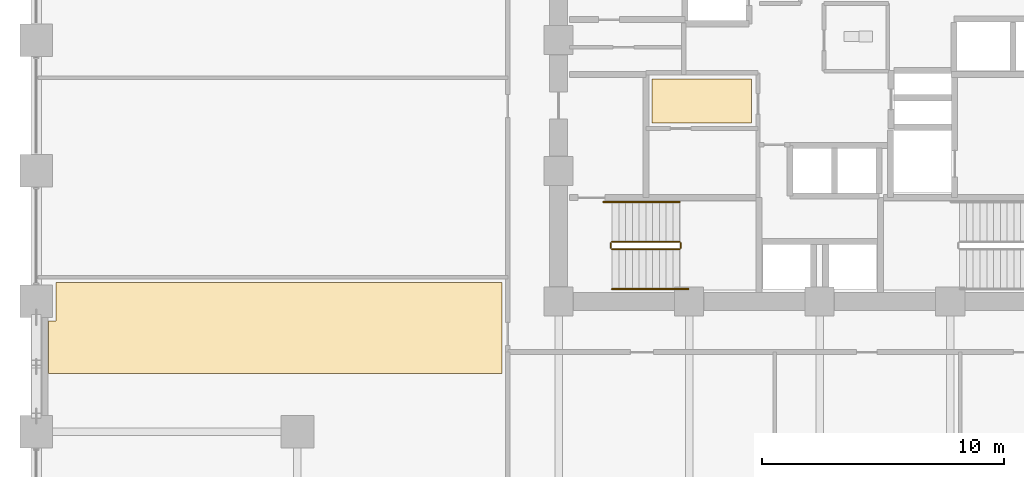
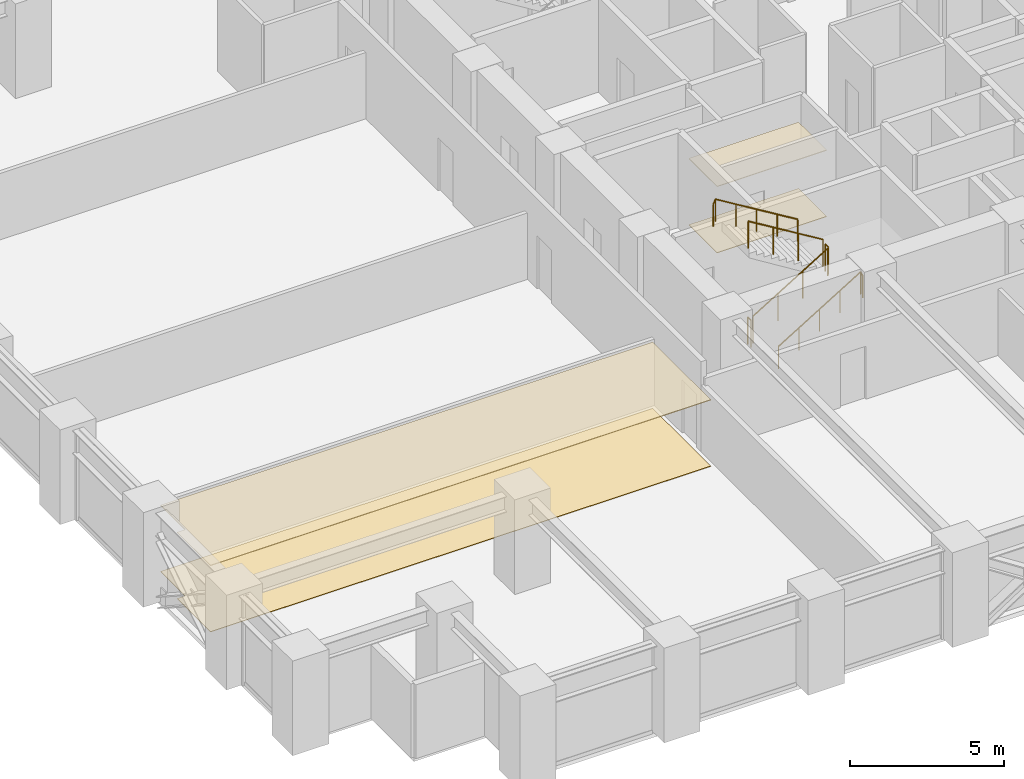
# One storey, part 23 of 25: 6 railings, 4 coverings.
"""IFC4 building model written with IfcOpenShell, lengths in metres."""

from ifc_helpers import new_model, si_unit, direction, frame, origin, origin_2d, place, context, subcontext, project, spatial, polyline, circle, outline, extrude, material, layer, layer_set, type_object, element, save


model = new_model("IFC4")

# Units and contexts
model_context = context("Model", 3, precision=1e-05, world=origin(), true_north=direction((0.0, 1.0)))
body_context = subcontext(model_context, "Body", "Model", "MODEL_VIEW")
ifc_project = project(units=[si_unit("LENGTHUNIT", "METRE"), si_unit("AREAUNIT", "SQUARE_METRE"), si_unit("VOLUMEUNIT", "CUBIC_METRE"), si_unit("PLANEANGLEUNIT", "RADIAN"), si_unit("MASSUNIT", "GRAM", prefix="KILO")], contexts=[model_context])

# Site, building, storey
site_placement = place(None, origin())
site = spatial("IfcSite", under=ifc_project, at=site_placement, CompositionType="ELEMENT")
building_placement = place(site_placement, origin())
building = spatial("IfcBuilding", under=site, at=building_placement, Name="Surkhivell Harbour Commons", CompositionType="ELEMENT")
storey_placement = place(building_placement, frame((0.0, 0.0, 52.5)))
storey = spatial("IfcBuildingStorey", under=building, at=storey_placement, Name="L13", CompositionType="ELEMENT", Elevation=52.5)

# Coverings
ifc_material_1 = material(Name="Perforated acoustic mineral-fibre ceiling tile", Category="other")
ifc_layer_1 = layer(ifc_material_1, 0.02490234375)
ifc_layer_set_1 = layer_set([ifc_layer_1], Name="Perforated acoustic mineral-fibre ceiling tile")
covering_type_1 = type_object("IfcCoveringType", Name="COV-CEIL-AC", PredefinedType="CEILING", material=ifc_layer_set_1)
covering_1_placement = place(storey_placement, frame((0.0, 0.0, 2.6240234375)))
element("IfcCovering", 1, at=covering_1_placement, inside=storey, type_object=covering_type_1, Name="L13 Suspended Acoustic Ceiling 1", PredefinedType="CEILING", context=body_context, shape_type="SweptSolid", body=[
    extrude(outline(polyline([(-6.929931640625, -3.429931640625), (-2.820068359375, -3.429931640625), (-2.820068359375, -1.60009765625), (-6.929931640625, -1.60009765625), (-6.929931640625, -3.429931640625)])), origin(), (0.0, 0.0, 1.0), 0.02490234375),
])
ifc_material_2 = material(Name="Moisture-resistant gypsum acoustic ceiling board", Category="other")
ifc_layer_2 = layer(ifc_material_2, 0.030029296875)
ifc_layer_set_2 = layer_set([ifc_layer_2], Name="Moisture-resistant gypsum acoustic ceiling board")
covering_type_2 = type_object("IfcCoveringType", Name="COV-CEIL-GYP", PredefinedType="CEILING", material=ifc_layer_set_2)
covering_2_placement = place(storey_placement, frame((0.0, 0.0, 2.618896484375)))
element("IfcCovering", 2, at=covering_2_placement, inside=storey, type_object=covering_type_2, Name="L13 Suspended Acoustic Ceiling 2", PredefinedType="CEILING", context=body_context, shape_type="SweptSolid", body=[
    extrude(outline(polyline([(-31.5849609375, -10.014892578125), (-31.5849609375, -11.614990234375), (-31.889892578125, -11.614990234375), (-31.889892578125, -13.780029296875), (-13.139892578125, -13.780029296875), (-13.139892578125, -10.014892578125), (-31.5849609375, -10.014892578125)])), origin(), (0.0, 0.0, 1.0), 0.030029296875),
])
ifc_material_3 = material(Name="Engineered acoustic oak timber flooring", Category="wood")
ifc_layer_3 = layer(ifc_material_3, 0.02001953125)
ifc_layer_set_3 = layer_set([ifc_layer_3], Name="Engineered acoustic oak timber flooring")
covering_type_3 = type_object("IfcCoveringType", Name="COV-FLR-TIM", PredefinedType="FLOORING", material=ifc_layer_set_3)
covering_3_placement = place(storey_placement, origin())
element("IfcCovering", 3, at=covering_3_placement, inside=storey, type_object=covering_type_3, Name="L13 Interior Floor Finish 1", PredefinedType="FLOORING", context=body_context, shape_type="SweptSolid", body=[
    extrude(outline(polyline([(-6.929931640625, -3.429931640625), (-2.820068359375, -3.429931640625), (-2.820068359375, -1.60009765625), (-6.929931640625, -1.60009765625), (-6.929931640625, -3.429931640625)])), origin(), (0.0, 0.0, 1.0), 0.02001953125),
])
covering_4_placement = place(storey_placement, origin())
element("IfcCovering", 4, at=covering_4_placement, inside=storey, type_object=covering_type_3, Name="L13 Interior Floor Finish 2", PredefinedType="FLOORING", context=body_context, shape_type="SweptSolid", body=[
    extrude(outline(polyline([(-31.5849609375, -10.014892578125), (-31.5849609375, -11.614990234375), (-31.889892578125, -11.614990234375), (-31.889892578125, -13.780029296875), (-13.139892578125, -13.780029296875), (-13.139892578125, -10.014892578125), (-31.5849609375, -10.014892578125)])), origin(), (0.0, 0.0, 1.0), 0.02001953125),
])

# Railings
ifc_material_4 = material(Name="Galvanised and painted steel S355 guard rail", Category="steel")
railing_type_1 = type_object("IfcRailingType", Name="RAL-ST-GRD1100", PredefinedType="GUARDRAIL", material=ifc_material_4)
railing_1_placement = place(storey_placement, frame((-8.590087890625, -8.639892578125, 0.17041015625)))
element("IfcRailing", 5, at=railing_1_placement, inside=storey, type_object=railing_type_1, Name="L13 ST3 stair guard 1", PredefinedType="GUARDRAIL", context=body_context, shape_type="SweptSolid", body=[
    extrude(circle(Radius=0.02392578125, at=origin_2d()), frame((0.0, 0.0, 1.076171875), z_axis=(0.854169791009, 0.0, 0.51999420009), x_axis=(0.0, 1.0, 0.0)), (0.0, 0.0, 1.0), 3.278076171875),
    extrude(circle(Radius=0.02099609375, at=origin_2d()), origin(), (0.0, 0.0, 1.0), 1.052001953125),
    extrude(circle(Radius=0.02099609375, at=origin_2d()), frame((0.933349609375, 0.0, 0.568115234375)), (0.0, 0.0, 1.0), 1.052001953125),
    extrude(circle(Radius=0.02099609375, at=origin_2d()), frame((1.86669921875, 0.0, 1.136474609375)), (0.0, 0.0, 1.0), 1.052001953125),
    extrude(circle(Radius=0.02099609375, at=origin_2d()), frame((2.800048828125, 0.0, 1.70458984375)), (0.0, 0.0, 1.0), 1.052001953125),
])
railing_2_placement = place(storey_placement, frame((-5.739990234375, -8.590087890625, 1.875)))
element("IfcRailing", 6, at=railing_2_placement, inside=storey, type_object=railing_type_1, Name="L13 ST3 stair guard 2", PredefinedType="GUARDRAIL", context=body_context, shape_type="SweptSolid", body=[
    extrude(circle(Radius=0.02392578125, at=origin_2d()), frame((0.0, 0.0, 1.076171875), z_axis=(0.0, 1.0, 0.0), x_axis=(-1.0, 0.0, 0.0)), (0.0, 0.0, 1.0), 0.2001953125),
    extrude(circle(Radius=0.02099609375, at=origin_2d()), origin(), (0.0, 0.0, 1.0), 1.052001953125),
    extrude(circle(Radius=0.02099609375, at=origin_2d()), frame((0.0, 0.2001953125, 0.0)), (0.0, 0.0, 1.0), 1.052001953125),
])
railing_3_placement = place(storey_placement, frame((-5.7900390625, -8.340087890625, 2.04541015625)))
element("IfcRailing", 7, at=railing_3_placement, inside=storey, type_object=railing_type_1, Name="L13 ST3 stair guard 3", PredefinedType="GUARDRAIL", context=body_context, shape_type="SweptSolid", body=[
    extrude(circle(Radius=0.02392578125, at=origin_2d()), frame((0.0, 0.0, 1.076171875), z_axis=(-0.854169791009, 0.0, 0.51999420009), x_axis=(0.0, -1.0, 0.0)), (0.0, 0.0, 1.0), 3.278076171875),
    extrude(circle(Radius=0.02099609375, at=origin_2d()), origin(), (0.0, 0.0, 1.0), 1.052001953125),
    extrude(circle(Radius=0.02099609375, at=origin_2d()), frame((-0.933349609375, 0.0, 0.568115234375)), (0.0, 0.0, 1.0), 1.052001953125),
    extrude(circle(Radius=0.02099609375, at=origin_2d()), frame((-1.86669921875, 0.0, 1.136474609375)), (0.0, 0.0, 1.0), 1.052001953125),
    extrude(circle(Radius=0.02099609375, at=origin_2d()), frame((-2.800048828125, 0.0, 1.70458984375)), (0.0, 0.0, 1.0), 1.052001953125),
])
railing_4_placement = place(storey_placement, frame((-8.639892578125, -8.590087890625, 0.0)))
element("IfcRailing", 8, at=railing_4_placement, inside=storey, type_object=railing_type_1, Name="L13 ST3 stair guard 4", PredefinedType="GUARDRAIL", context=body_context, shape_type="SweptSolid", body=[
    extrude(circle(Radius=0.02392578125, at=origin_2d()), frame((0.0, 0.0, 1.076171875), z_axis=(0.0, 1.0, 0.0), x_axis=(-1.0, 0.0, 0.0)), (0.0, 0.0, 1.0), 0.2001953125),
    extrude(circle(Radius=0.02099609375, at=origin_2d()), origin(), (0.0, 0.0, 1.0), 1.052001953125),
    extrude(circle(Radius=0.02099609375, at=origin_2d()), frame((0.0, 0.2001953125, 0.0)), (0.0, 0.0, 1.0), 1.052001953125),
])
ifc_material_5 = material(Name="Brushed stainless steel S355 handrail", Category="steel")
railing_type_2 = type_object("IfcRailingType", Name="RAL-ST-HND900", PredefinedType="HANDRAIL", material=ifc_material_5)
railing_5_placement = place(storey_placement, frame((-8.590087890625, -10.2900390625, 0.17041015625)))
element("IfcRailing", 9, at=railing_5_placement, inside=storey, type_object=railing_type_2, Name="L13 ST3 stair handrail 1", PredefinedType="HANDRAIL", context=body_context, shape_type="SweptSolid", body=[
    extrude(circle(Radius=0.02392578125, at=origin_2d()), frame((0.0, 0.0, 0.8759765625), z_axis=(0.854177636135, 0.0, 0.519981313056), x_axis=(0.0, 1.0, 0.0)), (0.0, 0.0, 1.0), 3.60595703125),
    extrude(circle(Radius=0.02392578125, at=origin_2d()), frame((3.080078125, 0.0, 2.7509765625), z_axis=(0.425297416671, 0.0, -0.905053648892), x_axis=(0.0, 1.0, 0.0)), (0.0, 0.0, 1.0), 0.188232421875),
    extrude(circle(Radius=0.02099609375, at=origin_2d()), origin(), (0.0, 0.0, 1.0), 0.851806640625),
    extrude(circle(Radius=0.02099609375, at=origin_2d()), frame((0.77001953125, 0.0, 0.46875)), (0.0, 0.0, 1.0), 0.851806640625),
    extrude(circle(Radius=0.02099609375, at=origin_2d()), frame((1.5400390625, 0.0, 0.9375)), (0.0, 0.0, 1.0), 0.851806640625),
    extrude(circle(Radius=0.02099609375, at=origin_2d()), frame((2.31005859375, 0.0, 1.40625)), (0.0, 0.0, 1.0), 0.851806640625),
    extrude(circle(Radius=0.02099609375, at=origin_2d()), frame((3.080078125, 0.0, 1.875)), (0.0, 0.0, 1.0), 0.851806640625),
    extrude(circle(Radius=0.02099609375, at=origin_2d()), frame((3.16015625, 0.0, 1.70458984375)), (0.0, 0.0, 1.0), 0.851806640625),
])
railing_6_placement = place(storey_placement, frame((-5.7900390625, -6.68994140625, 2.04541015625)))
element("IfcRailing", 10, at=railing_6_placement, inside=storey, type_object=railing_type_2, Name="L13 ST3 stair handrail 2", PredefinedType="HANDRAIL", context=body_context, shape_type="SweptSolid", body=[
    extrude(circle(Radius=0.02392578125, at=origin_2d()), frame((0.0, 0.0, 0.8759765625), z_axis=(-0.854177636135, 0.0, 0.519981313056), x_axis=(0.0, -1.0, 0.0)), (0.0, 0.0, 1.0), 3.60595703125),
    extrude(circle(Radius=0.02392578125, at=origin_2d()), frame((-3.080078125, 0.0, 2.7509765625), z_axis=(-0.424234432967, 0.0, -0.905552398199), x_axis=(0.0, -1.0, 0.0)), (0.0, 0.0, 1.0), 0.188232421875),
    extrude(circle(Radius=0.02099609375, at=origin_2d()), origin(), (0.0, 0.0, 1.0), 0.851806640625),
    extrude(circle(Radius=0.02099609375, at=origin_2d()), frame((-0.77001953125, 0.0, 0.46875)), (0.0, 0.0, 1.0), 0.851806640625),
    extrude(circle(Radius=0.02099609375, at=origin_2d()), frame((-1.5400390625, 0.0, 0.9375)), (0.0, 0.0, 1.0), 0.851806640625),
    extrude(circle(Radius=0.02099609375, at=origin_2d()), frame((-2.31005859375, 0.0, 1.40625)), (0.0, 0.0, 1.0), 0.851806640625),
    extrude(circle(Radius=0.02099609375, at=origin_2d()), frame((-3.080078125, 0.0, 1.875)), (0.0, 0.0, 1.0), 0.851806640625),
    extrude(circle(Radius=0.02099609375, at=origin_2d()), frame((-3.159912109375, 0.0, 1.70458984375)), (0.0, 0.0, 1.0), 0.851806640625),
])

save(model, "model.ifc")
